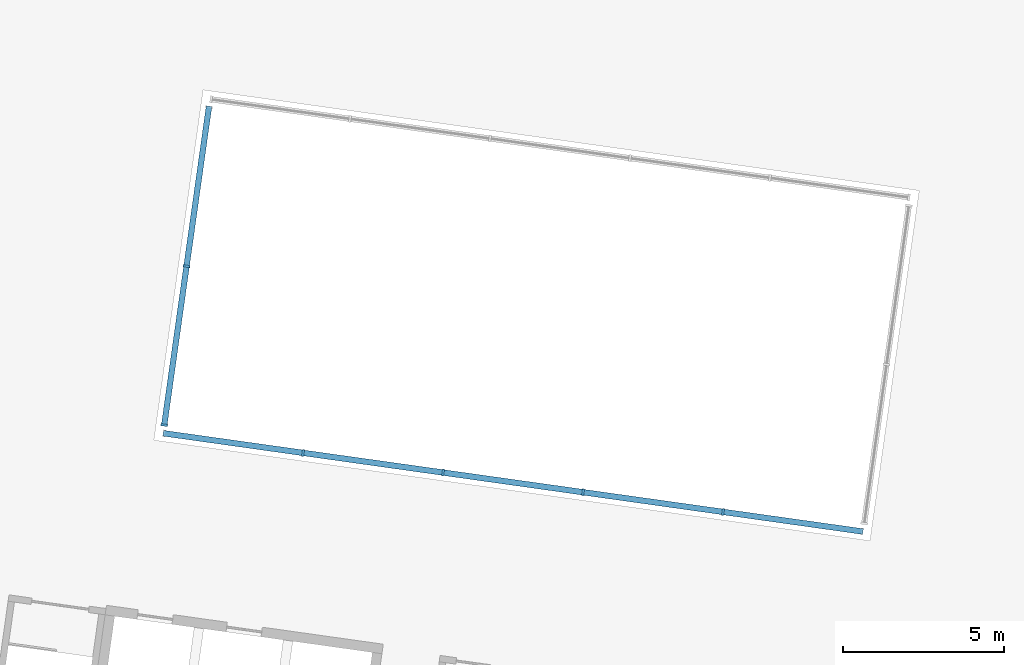
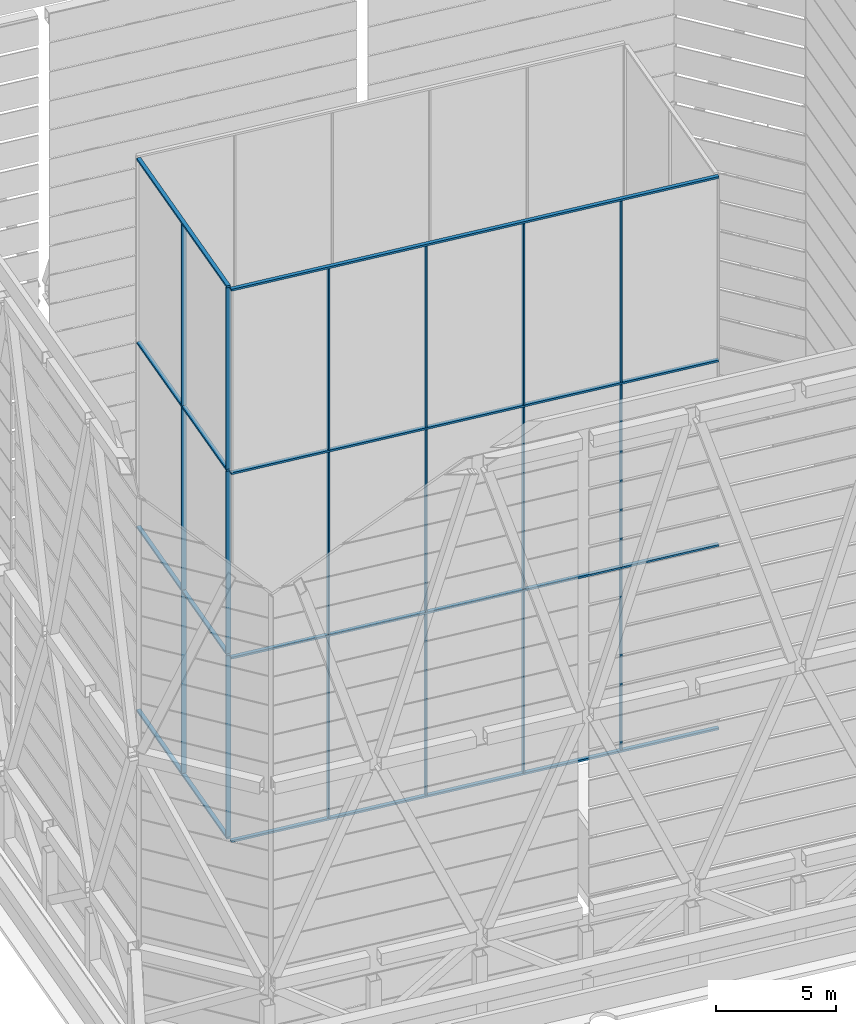
# One storey, part 6 of 45: 26 members, 2 elements without a shape of their own.
"""IFC4 building model written with IfcOpenShell, lengths in metres."""

from ifc_helpers import new_model, si_unit, direction, frame, origin, origin_2d, place, context, subcontext, project, spatial, rectangle, extrude, material, material_profile, profile_set, type_object, element, aggregate, save


model = new_model("IFC4")

# Units and contexts
model_context = context("Model", 3, precision=1e-05, world=origin(), true_north=direction((0.0, 1.0)))
body_context = subcontext(model_context, "Body", "Model", "MODEL_VIEW")
ifc_project = project(units=[si_unit("LENGTHUNIT", "METRE"), si_unit("AREAUNIT", "SQUARE_METRE"), si_unit("VOLUMEUNIT", "CUBIC_METRE"), si_unit("PLANEANGLEUNIT", "RADIAN"), si_unit("MASSUNIT", "GRAM", prefix="KILO")], contexts=[model_context])

# Site, building, storey
site_placement = place(None, origin())
site = spatial("IfcSite", under=ifc_project, at=site_placement, CompositionType="ELEMENT")
building_placement = place(site_placement, origin())
building = spatial("IfcBuilding", under=site, at=building_placement, Name="Mirante Cascada Hotel Towers", CompositionType="ELEMENT")
storey_placement = place(building_placement, frame((0.0, 0.0, 269.8)))
storey = spatial("IfcBuildingStorey", under=building, at=storey_placement, Name="Roof garden", CompositionType="ELEMENT", Elevation=269.8)

# Curtain wall, members
ifc_material_1 = material(Name="Aluminium mullion and transom frame with clear laminated glass", Category="aluminium")
curtain_wall_type = type_object("IfcCurtainWallType", Name="Atrium rooflight wall ECW6", PredefinedType="NOTDEFINED", material=ifc_material_1)
curtain_wall_1_placement = place(storey_placement, origin())
curtain_wall_1 = element("IfcCurtainWall", 1, at=curtain_wall_1_placement, inside=storey, type_object=curtain_wall_type, Name="Atrium rooflight wall T1 long rear", PredefinedType="NOTDEFINED")
ifc_material_2 = material(Name="Anodised aluminium extrusion", Category="aluminium")
ifc_material_profile_1 = material_profile(ifc_material_2, rectangle(XDim=0.22, YDim=0.07, at=origin_2d()), Name="ECW6 MULLION 70x220")
ifc_profile_set_1 = profile_set([ifc_material_profile_1], Name="Anodised aluminium extrusion")
member_type_1 = type_object("IfcMemberType", Name="ECW6 mullion 70x220", PredefinedType="MULLION", material=ifc_profile_set_1)
member_1_placement = place(storey_placement, frame((-30.5869, -5.0985, 0.1), z_axis=(0.0, 0.0, 1.0), x_axis=(-0.1391731, -0.9902681, 0.0)))
member_1 = element("IfcMember", 2, at=member_1_placement, type_object=member_type_1, Name="ECW6 mullion 2", PredefinedType="MULLION", context=body_context, shape_type="SweptSolid", body=[
    extrude(rectangle(XDim=0.22, YDim=0.07, at=origin_2d()), origin(), (0.0, 0.0, 1.0), 9.2667),
])
member_2_placement = place(storey_placement, frame((-30.5869, -5.0985, 9.4667), z_axis=(0.0, 0.0, 1.0), x_axis=(-0.1391731, -0.9902681, 0.0)))
member_2 = element("IfcMember", 3, at=member_2_placement, type_object=member_type_1, Name="ECW6 mullion 2", PredefinedType="MULLION", context=body_context, shape_type="SweptSolid", body=[
    extrude(rectangle(XDim=0.22, YDim=0.07, at=origin_2d()), origin(), (0.0, 0.0, 1.0), 9.3166),
])
member_3_placement = place(storey_placement, frame((-30.5869, -5.0985, 18.8833), z_axis=(0.0, 0.0, 1.0), x_axis=(-0.1391731, -0.9902681, 0.0)))
member_3 = element("IfcMember", 4, at=member_3_placement, type_object=member_type_1, Name="ECW6 mullion 2", PredefinedType="MULLION", context=body_context, shape_type="SweptSolid", body=[
    extrude(rectangle(XDim=0.22, YDim=0.07, at=origin_2d()), origin(), (0.0, 0.0, 1.0), 9.2667),
])
member_4_placement = place(storey_placement, frame((-34.9441, -4.4861, 0.1), z_axis=(0.0, 0.0, 1.0), x_axis=(-0.1391731, -0.9902681, 0.0)))
member_4 = element("IfcMember", 5, at=member_4_placement, type_object=member_type_1, Name="ECW6 mullion 3", PredefinedType="MULLION", context=body_context, shape_type="SweptSolid", body=[
    extrude(rectangle(XDim=0.22, YDim=0.07, at=origin_2d()), origin(), (0.0, 0.0, 1.0), 9.2667),
])
member_5_placement = place(storey_placement, frame((-34.9441, -4.4861, 9.4667), z_axis=(0.0, 0.0, 1.0), x_axis=(-0.1391731, -0.9902681, 0.0)))
member_5 = element("IfcMember", 6, at=member_5_placement, type_object=member_type_1, Name="ECW6 mullion 3", PredefinedType="MULLION", context=body_context, shape_type="SweptSolid", body=[
    extrude(rectangle(XDim=0.22, YDim=0.07, at=origin_2d()), origin(), (0.0, 0.0, 1.0), 9.3166),
])
member_6_placement = place(storey_placement, frame((-34.9441, -4.4861, 18.8833), z_axis=(0.0, 0.0, 1.0), x_axis=(-0.1391731, -0.9902681, 0.0)))
member_6 = element("IfcMember", 7, at=member_6_placement, type_object=member_type_1, Name="ECW6 mullion 3", PredefinedType="MULLION", context=body_context, shape_type="SweptSolid", body=[
    extrude(rectangle(XDim=0.22, YDim=0.07, at=origin_2d()), origin(), (0.0, 0.0, 1.0), 9.2667),
])
member_7_placement = place(storey_placement, frame((-39.3013, -3.8737, 0.1), z_axis=(0.0, 0.0, 1.0), x_axis=(-0.1391731, -0.9902681, 0.0)))
member_7 = element("IfcMember", 8, at=member_7_placement, type_object=member_type_1, Name="ECW6 mullion 4", PredefinedType="MULLION", context=body_context, shape_type="SweptSolid", body=[
    extrude(rectangle(XDim=0.22, YDim=0.07, at=origin_2d()), origin(), (0.0, 0.0, 1.0), 9.2667),
])
member_8_placement = place(storey_placement, frame((-39.3013, -3.8737, 9.4667), z_axis=(0.0, 0.0, 1.0), x_axis=(-0.1391731, -0.9902681, 0.0)))
member_8 = element("IfcMember", 9, at=member_8_placement, type_object=member_type_1, Name="ECW6 mullion 4", PredefinedType="MULLION", context=body_context, shape_type="SweptSolid", body=[
    extrude(rectangle(XDim=0.22, YDim=0.07, at=origin_2d()), origin(), (0.0, 0.0, 1.0), 9.3166),
])
member_9_placement = place(storey_placement, frame((-39.3013, -3.8737, 18.8833), z_axis=(0.0, 0.0, 1.0), x_axis=(-0.1391731, -0.9902681, 0.0)))
member_9 = element("IfcMember", 10, at=member_9_placement, type_object=member_type_1, Name="ECW6 mullion 4", PredefinedType="MULLION", context=body_context, shape_type="SweptSolid", body=[
    extrude(rectangle(XDim=0.22, YDim=0.07, at=origin_2d()), origin(), (0.0, 0.0, 1.0), 9.2667),
])
member_10_placement = place(storey_placement, frame((-43.6585, -3.2614, 0.1), z_axis=(0.0, 0.0, 1.0), x_axis=(-0.1391731, -0.9902681, 0.0)))
member_10 = element("IfcMember", 11, at=member_10_placement, type_object=member_type_1, Name="ECW6 mullion 5", PredefinedType="MULLION", context=body_context, shape_type="SweptSolid", body=[
    extrude(rectangle(XDim=0.22, YDim=0.07, at=origin_2d()), origin(), (0.0, 0.0, 1.0), 9.2667),
])
member_11_placement = place(storey_placement, frame((-43.6585, -3.2614, 9.4667), z_axis=(0.0, 0.0, 1.0), x_axis=(-0.1391731, -0.9902681, 0.0)))
member_11 = element("IfcMember", 12, at=member_11_placement, type_object=member_type_1, Name="ECW6 mullion 5", PredefinedType="MULLION", context=body_context, shape_type="SweptSolid", body=[
    extrude(rectangle(XDim=0.22, YDim=0.07, at=origin_2d()), origin(), (0.0, 0.0, 1.0), 9.3166),
])
member_12_placement = place(storey_placement, frame((-43.6585, -3.2614, 18.8833), z_axis=(0.0, 0.0, 1.0), x_axis=(-0.1391731, -0.9902681, 0.0)))
member_12 = element("IfcMember", 13, at=member_12_placement, type_object=member_type_1, Name="ECW6 mullion 5", PredefinedType="MULLION", context=body_context, shape_type="SweptSolid", body=[
    extrude(rectangle(XDim=0.22, YDim=0.07, at=origin_2d()), origin(), (0.0, 0.0, 1.0), 9.2667),
])

curtain_wall_2_placement = place(storey_placement, origin())
curtain_wall_2 = element("IfcCurtainWall", 14, at=curtain_wall_2_placement, inside=storey, type_object=curtain_wall_type, Name="Atrium rooflight wall T1 outer", PredefinedType="NOTDEFINED")
member_13_placement = place(storey_placement, frame((-47.9802, -2.3965, 0.1), z_axis=(0.0, 0.0, 1.0), x_axis=(-0.9902681, 0.1391731, 0.0)))
member_13 = element("IfcMember", 15, at=member_13_placement, type_object=member_type_1, Name="ECW6 mullion 1", PredefinedType="MULLION", context=body_context, shape_type="SweptSolid", body=[
    extrude(rectangle(XDim=0.22, YDim=0.07, at=origin_2d()), origin(), (0.0, 0.0, 1.0), 9.2667),
])
member_14_placement = place(storey_placement, frame((-47.9802, -2.3965, 9.4667), z_axis=(0.0, 0.0, 1.0), x_axis=(-0.9902681, 0.1391731, 0.0)))
member_14 = element("IfcMember", 16, at=member_14_placement, type_object=member_type_1, Name="ECW6 mullion 1", PredefinedType="MULLION", context=body_context, shape_type="SweptSolid", body=[
    extrude(rectangle(XDim=0.22, YDim=0.07, at=origin_2d()), origin(), (0.0, 0.0, 1.0), 9.3166),
])
member_15_placement = place(storey_placement, frame((-47.9802, -2.3965, 18.8833), z_axis=(0.0, 0.0, 1.0), x_axis=(-0.9902681, 0.1391731, 0.0)))
member_15 = element("IfcMember", 17, at=member_15_placement, type_object=member_type_1, Name="ECW6 mullion 1", PredefinedType="MULLION", context=body_context, shape_type="SweptSolid", body=[
    extrude(rectangle(XDim=0.22, YDim=0.07, at=origin_2d()), origin(), (0.0, 0.0, 1.0), 9.2667),
])
member_16_placement = place(storey_placement, frame((-47.285, 2.5499, 0.1), z_axis=(0.0, 0.0, 1.0), x_axis=(-0.9902681, 0.1391731, 0.0)))
member_16 = element("IfcMember", 18, at=member_16_placement, type_object=member_type_1, Name="ECW6 mullion 2", PredefinedType="MULLION", context=body_context, shape_type="SweptSolid", body=[
    extrude(rectangle(XDim=0.22, YDim=0.07, at=origin_2d()), origin(), (0.0, 0.0, 1.0), 9.2667),
])
member_17_placement = place(storey_placement, frame((-47.285, 2.5499, 9.4667), z_axis=(0.0, 0.0, 1.0), x_axis=(-0.9902681, 0.1391731, 0.0)))
member_17 = element("IfcMember", 19, at=member_17_placement, type_object=member_type_1, Name="ECW6 mullion 2", PredefinedType="MULLION", context=body_context, shape_type="SweptSolid", body=[
    extrude(rectangle(XDim=0.22, YDim=0.07, at=origin_2d()), origin(), (0.0, 0.0, 1.0), 9.3166),
])
member_18_placement = place(storey_placement, frame((-47.285, 2.5499, 18.8833), z_axis=(0.0, 0.0, 1.0), x_axis=(-0.9902681, 0.1391731, 0.0)))
member_18 = element("IfcMember", 20, at=member_18_placement, type_object=member_type_1, Name="ECW6 mullion 2", PredefinedType="MULLION", context=body_context, shape_type="SweptSolid", body=[
    extrude(rectangle(XDim=0.22, YDim=0.07, at=origin_2d()), origin(), (0.0, 0.0, 1.0), 9.2667),
])

# Member
ifc_material_3 = material(Name="Anodised aluminium extrusion", Category="aluminium")
ifc_material_profile_2 = material_profile(ifc_material_3, rectangle(XDim=0.18, YDim=0.1, at=origin_2d()), Name="ECW6 TRANSOM 100x180")
ifc_profile_set_2 = profile_set([ifc_material_profile_2], Name="Anodised aluminium extrusion")
member_type_2 = type_object("IfcMemberType", Name="ECW6 transom 100x180", PredefinedType="USERDEFINED", material=ifc_profile_set_2)
member_19_placement = place(storey_placement, frame((-26.2298, -5.7108, 0.05), z_axis=(-0.9902681, 0.1391727, 0.0), x_axis=(-0.1391727, -0.9902681, 0.0)))
member_19 = element("IfcMember", 21, at=member_19_placement, type_object=member_type_2, Name="ECW6 sill transom", ObjectType="TRANSOM", PredefinedType="USERDEFINED", context=body_context, shape_type="SweptSolid", body=[
    extrude(rectangle(XDim=0.18, YDim=0.1, at=origin_2d()), origin(), (0.0, 0.0, 1.0), 22.0),
])

member_20_placement = place(storey_placement, frame((-26.2298, -5.7108, 9.4167), z_axis=(-0.9902681, 0.1391727, 0.0), x_axis=(-0.1391727, -0.9902681, 0.0)))
member_20 = element("IfcMember", 22, at=member_20_placement, type_object=member_type_2, Name="ECW6 intermediate transom", ObjectType="TRANSOM", PredefinedType="USERDEFINED", context=body_context, shape_type="SweptSolid", body=[
    extrude(rectangle(XDim=0.18, YDim=0.1, at=origin_2d()), origin(), (0.0, 0.0, 1.0), 22.0),
])

member_21_placement = place(storey_placement, frame((-26.2298, -5.7108, 18.8333), z_axis=(-0.9902681, 0.1391727, 0.0), x_axis=(-0.1391727, -0.9902681, 0.0)))
member_21 = element("IfcMember", 23, at=member_21_placement, type_object=member_type_2, Name="ECW6 intermediate transom", ObjectType="TRANSOM", PredefinedType="USERDEFINED", context=body_context, shape_type="SweptSolid", body=[
    extrude(rectangle(XDim=0.18, YDim=0.1, at=origin_2d()), origin(), (0.0, 0.0, 1.0), 22.0),
])

member_22_placement = place(storey_placement, frame((-26.2298, -5.7108, 28.2), z_axis=(-0.9902681, 0.1391727, 0.0), x_axis=(-0.1391727, -0.9902681, 0.0)))
member_22 = element("IfcMember", 24, at=member_22_placement, type_object=member_type_2, Name="ECW6 head transom", ObjectType="TRANSOM", PredefinedType="USERDEFINED", context=body_context, shape_type="SweptSolid", body=[
    extrude(rectangle(XDim=0.18, YDim=0.1, at=origin_2d()), origin(), (0.0, 0.0, 1.0), 22.0),
])

aggregate(curtain_wall_1, [member_19, member_20, member_21, member_22, member_1, member_2, member_3, member_4, member_5, member_6, member_7, member_8, member_9, member_10, member_11, member_12])

member_23_placement = place(storey_placement, frame((-47.985, -2.4312, 0.05), z_axis=(0.1391651, 0.9902692, 0.0), x_axis=(-0.9902692, 0.1391651, 0.0)))
member_23 = element("IfcMember", 25, at=member_23_placement, type_object=member_type_2, Name="ECW6 sill transom", ObjectType="TRANSOM", PredefinedType="USERDEFINED", context=body_context, shape_type="SweptSolid", body=[
    extrude(rectangle(XDim=0.18, YDim=0.1, at=origin_2d()), origin(), (0.0, 0.0, 1.0), 10.06),
])

member_24_placement = place(storey_placement, frame((-47.985, -2.4312, 9.4167), z_axis=(0.1391651, 0.9902692, 0.0), x_axis=(-0.9902692, 0.1391651, 0.0)))
member_24 = element("IfcMember", 26, at=member_24_placement, type_object=member_type_2, Name="ECW6 intermediate transom", ObjectType="TRANSOM", PredefinedType="USERDEFINED", context=body_context, shape_type="SweptSolid", body=[
    extrude(rectangle(XDim=0.18, YDim=0.1, at=origin_2d()), origin(), (0.0, 0.0, 1.0), 10.06),
])

member_25_placement = place(storey_placement, frame((-47.985, -2.4312, 18.8333), z_axis=(0.1391651, 0.9902692, 0.0), x_axis=(-0.9902692, 0.1391651, 0.0)))
member_25 = element("IfcMember", 27, at=member_25_placement, type_object=member_type_2, Name="ECW6 intermediate transom", ObjectType="TRANSOM", PredefinedType="USERDEFINED", context=body_context, shape_type="SweptSolid", body=[
    extrude(rectangle(XDim=0.18, YDim=0.1, at=origin_2d()), origin(), (0.0, 0.0, 1.0), 10.06),
])

member_26_placement = place(storey_placement, frame((-47.985, -2.4312, 28.2), z_axis=(0.1391651, 0.9902692, 0.0), x_axis=(-0.9902692, 0.1391651, 0.0)))
member_26 = element("IfcMember", 28, at=member_26_placement, type_object=member_type_2, Name="ECW6 head transom", ObjectType="TRANSOM", PredefinedType="USERDEFINED", context=body_context, shape_type="SweptSolid", body=[
    extrude(rectangle(XDim=0.18, YDim=0.1, at=origin_2d()), origin(), (0.0, 0.0, 1.0), 10.06),
])

aggregate(curtain_wall_2, [member_23, member_24, member_25, member_26, member_13, member_14, member_15, member_16, member_17, member_18])

save(model, "model.ifc")
